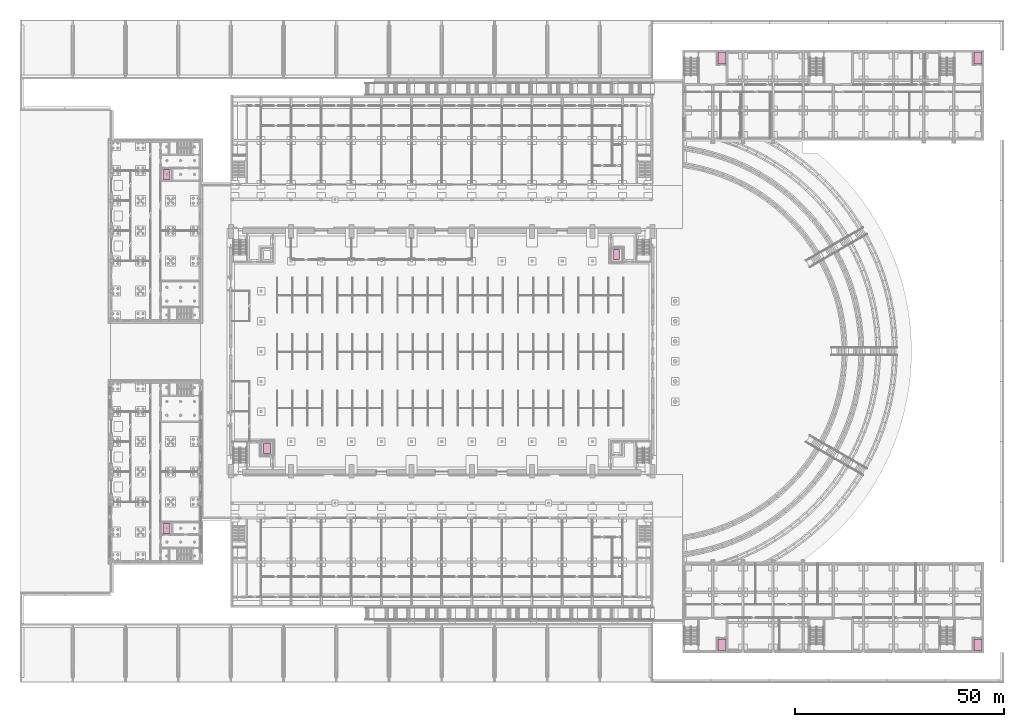
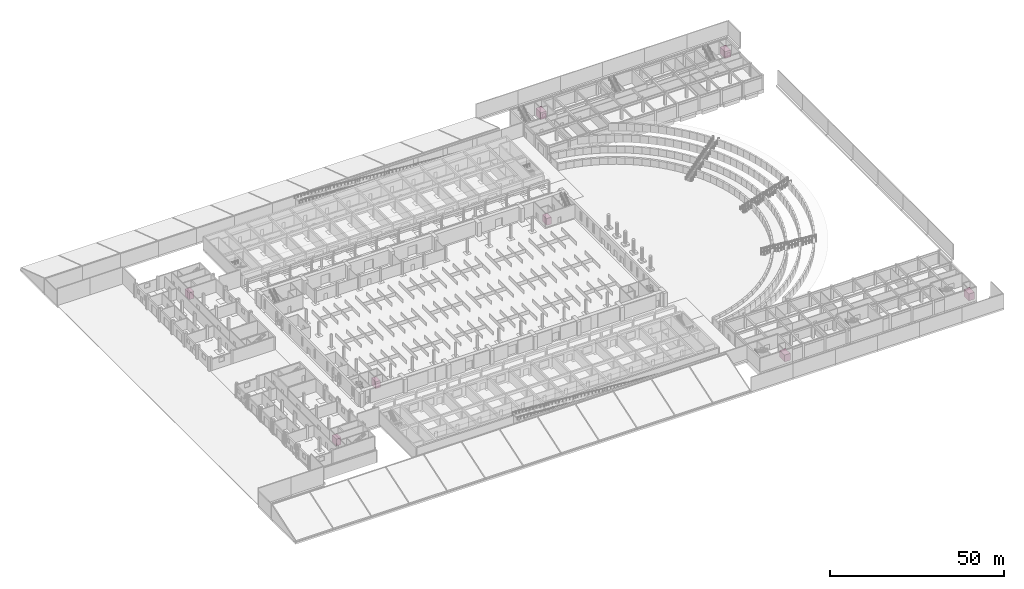
# One storey, part 73 of 73: 8 transport elements.
"""IFC4 building model written with IfcOpenShell, lengths in metres."""

from ifc_helpers import new_model, si_unit, direction, frame, origin, origin_2d, place, context, subcontext, project, spatial, rectangle, extrude, material, type_object, element, save


model = new_model("IFC4")

# Units and contexts
model_context = context("Model", 3, precision=1e-05, world=origin(), true_north=direction((0.0, 1.0)))
body_context = subcontext(model_context, "Body", "Model", "MODEL_VIEW")
ifc_project = project(units=[si_unit("LENGTHUNIT", "METRE"), si_unit("AREAUNIT", "SQUARE_METRE"), si_unit("VOLUMEUNIT", "CUBIC_METRE"), si_unit("PLANEANGLEUNIT", "RADIAN"), si_unit("MASSUNIT", "GRAM", prefix="KILO")], contexts=[model_context])

# Site, building, storey
site_placement = place(None, origin())
site = spatial("IfcSite", under=ifc_project, at=site_placement, CompositionType="ELEMENT")
building_placement = place(site_placement, origin())
building = spatial("IfcBuilding", under=site, at=building_placement, Name="Alderwick Market Hall", CompositionType="ELEMENT")
storey_placement = place(building_placement, origin())
storey = spatial("IfcBuildingStorey", under=building, at=storey_placement, Name="LG", CompositionType="ELEMENT", Elevation=0.0)

# Transport elements
ifc_material_1 = material(Name="B Passenger Lift")
transport_element_type_1 = type_object("IfcTransportElementType", Name="B Passenger Lift", PredefinedType="ELEVATOR", material=ifc_material_1)
for number, where, z_axis, x_axis, name in (
    (1, (35.0, 121.5, 0.050048828125), (0.0, 0.0, 1.0), (1.0, 0.0, 0.0), "Goods and passenger lift N-1"),
    (2, (35.0, 36.89990234375, 0.050048828125), (0.0, 0.0, 1.0), (1.0, 0.0, 0.0), "Goods and passenger lift S-1"),
):
    element("IfcTransportElement", number, at=place(storey_placement, frame(where, z_axis=z_axis, x_axis=x_axis)), inside=storey, type_object=transport_element_type_1, Name=name, PredefinedType="ELEVATOR", context=body_context, shape_type="SweptSolid", body=[
        extrude(rectangle(XDim=1.60009765625, YDim=2.39990234375, at=origin_2d()), origin(), (0.0, 0.0, 1.0), 2.39990234375),
    ])
ifc_material_2 = material(Name="Stainless steel", Category="steel")
transport_element_type_2 = type_object("IfcTransportElementType", Name="C Passenger Lift 1600x2400", PredefinedType="ELEVATOR", material=ifc_material_2)
for number, where, z_axis, x_axis, name in (
    (3, (167.75, 9.10009765625, 0.10009765625), (0.0, 0.0, 1.0), (1.0, 0.0, 0.0), "Lift C-A"),
    (4, (228.949951171875, 9.10009765625, 0.10009765625), (0.0, 0.0, 1.0), (1.0, 0.0, 0.0), "Lift C-C"),
):
    element("IfcTransportElement", number, at=place(storey_placement, frame(where, z_axis=z_axis, x_axis=x_axis)), inside=storey, type_object=transport_element_type_2, Name=name, PredefinedType="ELEVATOR", context=body_context, shape_type="SweptSolid", body=[
        extrude(rectangle(XDim=1.89990234375, YDim=2.800048828125, at=origin_2d()), origin(), (0.0, 0.0, 1.0), 2.39990234375),
    ])
transport_element_type_3 = type_object("IfcTransportElementType", Name="F Passenger Lift 1600x2400", PredefinedType="ELEVATOR", material=ifc_material_2)
for number, where, z_axis, x_axis, name in (
    (5, (167.75, 149.300048828125, 0.10009765625), (0.0, 0.0, 1.0), (1.0, 0.0, 0.0), "Lift F-A"),
    (6, (228.949951171875, 149.300048828125, 0.10009765625), (0.0, 0.0, 1.0), (1.0, 0.0, 0.0), "Lift F-C"),
):
    element("IfcTransportElement", number, at=place(storey_placement, frame(where, z_axis=z_axis, x_axis=x_axis)), inside=storey, type_object=transport_element_type_3, Name=name, PredefinedType="ELEVATOR", context=body_context, shape_type="SweptSolid", body=[
        extrude(rectangle(XDim=1.89990234375, YDim=2.800048828125, at=origin_2d()), origin(), (0.0, 0.0, 1.0), 2.39990234375),
    ])
transport_element_type_4 = type_object("IfcTransportElementType", Name="H Lift 1600x2400", PredefinedType="ELEVATOR", material=ifc_material_2)
for number, where, z_axis, x_axis, name in (
    (7, (59.050048828125, 56.0400390625, 0.10009765625), (0.0, 0.0, 1.0), (1.0, 0.0, 0.0), "Lift South West"),
    (8, (142.550048828125, 102.360107421875, 0.10009765625), (0.0, 0.0, 1.0), (1.0, 0.0, 0.0), "Lift North East"),
):
    element("IfcTransportElement", number, at=place(storey_placement, frame(where, z_axis=z_axis, x_axis=x_axis)), inside=storey, type_object=transport_element_type_4, Name=name, PredefinedType="ELEVATOR", context=body_context, shape_type="SweptSolid", body=[
        extrude(rectangle(XDim=1.60009765625, YDim=2.39990234375, at=origin_2d()), origin(), (0.0, 0.0, 1.0), 2.39990234375),
    ])

save(model, "model.ifc")
